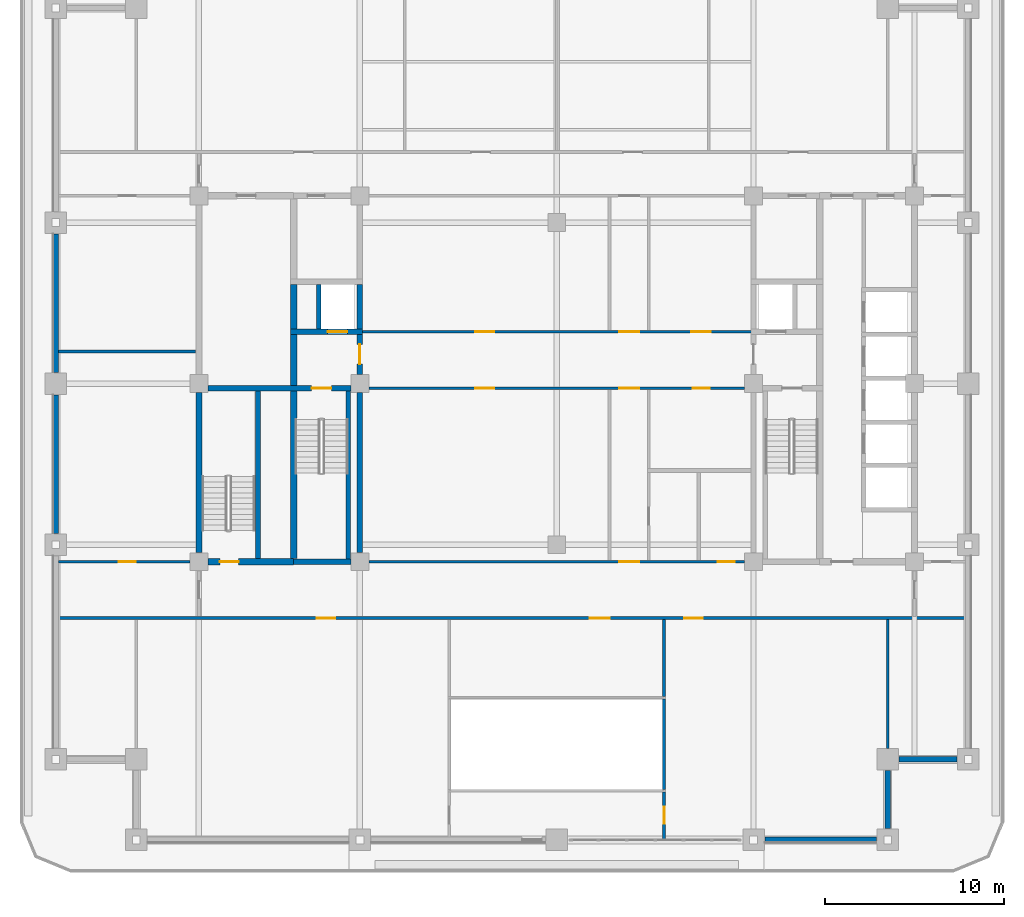
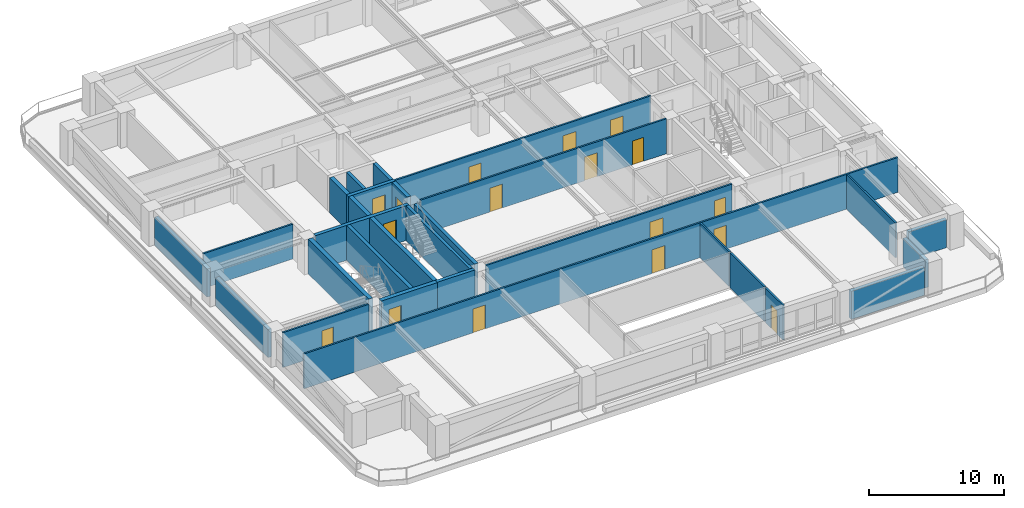
# One storey, part 8 of 17: 29 walls, 17 doors, 17 openings.
"""IFC4 building model written with IfcOpenShell, lengths in metres."""

import ifcopenshell
import ifcopenshell.guid

model = None  # the IFC model being written
_history = None  # IfcOwnerHistory: only IFC2X3 demands one
_inside = {}  # id of a spatial element -> (the spatial element, [elements in it])
_under = {}  # id of a project, library or spatial element -> (it, [spatial elements below it])
_declared = {}  # id of a project -> (the project, [libraries it declares])
_typed = {}  # id of a type object -> (the type object, [elements of that type])
_made_of = {}  # id of a material, layer set ... -> (it, [elements and type objects made of it])


def new_model(schema):
    """Start an empty IFC model of exactly this schema.

    Asked for "IFC4X3", IfcOpenShell would pick the latest addendum, in which some entities
    have other attributes; the version numbers below select the first issue.
    IFC2X3 requires an IfcOwnerHistory on every rooted entity: one is made here for all.
    """
    global model, _history
    if schema == "IFC4X3":
        model = ifcopenshell.file(schema_version=(4, 3, 0, 0))
    else:
        model = ifcopenshell.file(schema=schema)
    _inside.clear()
    _under.clear()
    _declared.clear()
    _typed.clear()
    _made_of.clear()
    _history = None
    if model.schema == "IFC2X3":
        org = make("IfcOrganization", Name="unknown")
        user = make(
            "IfcPersonAndOrganization",
            ThePerson=make("IfcPerson", FamilyName="unknown"),
            TheOrganization=org,
        )
        app = make(
            "IfcApplication",
            ApplicationDeveloper=org,
            Version="unknown",
            ApplicationFullName="unknown",
            ApplicationIdentifier="unknown",
        )
        _history = make(
            "IfcOwnerHistory",
            OwningUser=user,
            OwningApplication=app,
            ChangeAction="ADDED",
            CreationDate=0,
        )
    return model


def make(cls, **values):
    """One entity of the class cls with the attributes given. An attribute that is None is left unset."""
    return model.create_entity(
        cls, **{name: value for name, value in values.items() if value is not None}
    )


def rooted(cls, **values):
    """An entity with a GlobalId (a new one), such as an element, a storey or a relation."""
    return make(cls, GlobalId=ifcopenshell.guid.new(), OwnerHistory=_history, **values)


def si_unit(unit_type, name, prefix=None):
    """IfcSIUnit, for example si_unit("LENGTHUNIT", "METRE", prefix="MILLI")."""
    return make("IfcSIUnit", UnitType=unit_type, Prefix=prefix, Name=name)


def assignment(units):
    """IfcUnitAssignment: the units of a project."""
    return None if units is None else make("IfcUnitAssignment", Units=units)


def point(xyz):
    """IfcCartesianPoint."""
    return None if xyz is None else make("IfcCartesianPoint", Coordinates=xyz)


def direction(xyz):
    """IfcDirection."""
    return None if xyz is None else make("IfcDirection", DirectionRatios=xyz)


def frame(location, z_axis=None, x_axis=None):
    """IfcAxis2Placement3D, a coordinate frame: its origin and axes. An axis left out is left unset."""
    return make(
        "IfcAxis2Placement3D",
        Location=point(location),
        Axis=direction(z_axis),
        RefDirection=direction(x_axis),
    )


def frame_2d(location, x_axis=None):
    """IfcAxis2Placement2D, a coordinate frame in the plane: its origin and x axis."""
    return make(
        "IfcAxis2Placement2D", Location=point(location), RefDirection=direction(x_axis)
    )


def origin():
    """The frame at (0, 0, 0) with its axes left unset."""
    return frame((0.0, 0.0, 0.0))


def place(relative_to, where):
    """IfcLocalPlacement: puts the frame where relative to a parent placement (None: the world)."""
    return make(
        "IfcLocalPlacement", PlacementRelTo=relative_to, RelativePlacement=where
    )


def context(
    kind, dimensions, precision=None, world=None, true_north=None, identifier=None
):
    """IfcGeometricRepresentationContext, for example the 3D "Model" context."""
    return make(
        "IfcGeometricRepresentationContext",
        ContextIdentifier=identifier,
        ContextType=kind,
        CoordinateSpaceDimension=dimensions,
        Precision=precision,
        WorldCoordinateSystem=world,
        TrueNorth=true_north,
    )


def subcontext(parent, identifier, kind, view, scale=None):
    """IfcGeometricRepresentationSubContext, for example "Body" below "Model"."""
    return make(
        "IfcGeometricRepresentationSubContext",
        ContextIdentifier=identifier,
        ContextType=kind,
        ParentContext=parent,
        TargetScale=scale,
        TargetView=view,
    )


def project(units=None, contexts=None):
    """IfcProject with its units and contexts."""
    return rooted(
        "IfcProject",
        Name="project",
        RepresentationContexts=contexts,
        UnitsInContext=assignment(units),
    )


def spatial(cls, under=None, at=None, **own):
    """A site, building, storey or space (cls), placed at a placement, below another one or the project."""
    s = rooted(cls, ObjectPlacement=at, **own)
    if under is not None:
        _under.setdefault(under.id(), (under, []))[1].append(s)
    return s


def profile(cls, at=None, kind="AREA", **sizes):
    """A parametric profile (cls). Its sizes go by their IFC names, for example OverallWidth=200.0."""
    return make(cls, ProfileType=kind, Position=at, **sizes)


def rectangle(**sizes):
    """IfcRectangleProfileDef."""
    return profile("IfcRectangleProfileDef", **sizes)


def extrude(swept, where, along, depth):
    """IfcExtrudedAreaSolid: the profile swept, set in the frame where, extruded along a direction by depth."""
    return make(
        "IfcExtrudedAreaSolid",
        SweptArea=swept,
        Position=where,
        ExtrudedDirection=direction(along),
        Depth=depth,
    )


def shape(context_of_items, identifier, shape_type, items):
    """IfcShapeRepresentation: the items that make up one representation, for example the "Body"."""
    return make(
        "IfcShapeRepresentation",
        ContextOfItems=context_of_items,
        RepresentationIdentifier=identifier,
        RepresentationType=shape_type,
        Items=items,
    )


def material(Name=None, Category=None):
    """IfcMaterial."""
    return make("IfcMaterial", Name=Name, Category=Category)


def layer(
    of_material, thickness, ventilated=None, Name=None, Category=None, Priority=None
):
    """IfcMaterialLayer: one layer of a wall or slab, of a material (None: an air gap)."""
    return make(
        "IfcMaterialLayer",
        Material=of_material,
        LayerThickness=thickness,
        IsVentilated=ventilated,
        Name=Name,
        Category=Category,
        Priority=Priority,
    )


def layer_set(layers, Name=None):
    """IfcMaterialLayerSet."""
    return make("IfcMaterialLayerSet", MaterialLayers=layers, LayerSetName=Name)


def made_of(thing, what):
    """Note that an element or type object is made of a material, layer set ...; save() writes the relation."""
    if what is not None:
        _made_of.setdefault(what.id(), (what, []))[1].append(thing)
    return thing


def type_object(cls, material=None, **own):
    """A type object (cls), such as IfcWallType, which elements share."""
    return made_of(rooted(cls, **own), material)


def element(
    cls,
    number,
    at=None,
    inside=None,
    cuts=None,
    type_object=None,
    material=None,
    context=None,
    identifier="Body",
    shape_type=None,
    held_by="IfcProductDefinitionShape",
    body=None,
    shapes=None,
    **own,
):
    """One element of the class cls, such as IfcWall. Its Tag is "e" and its number.

    at: its placement. inside: the storey or other place that contains it. cuts: it is an
    opening in that element (IfcRelVoidsElement). A single representation is given by context,
    identifier, shape_type and body (its items); several are given by shapes. held_by: the class
    of the entity that holds the representations. save() writes the other relations.
    """
    e = rooted(cls, Tag="e%d" % number, ObjectPlacement=at, **own)
    if body is not None:
        shapes = [shape(context, identifier, shape_type, body)]
    if shapes is not None:
        e.Representation = make(held_by, Representations=shapes)
    if inside is not None:
        _inside.setdefault(inside.id(), (inside, []))[1].append(e)
    if cuts is not None:
        rooted(
            "IfcRelVoidsElement", RelatingBuildingElement=cuts, RelatedOpeningElement=e
        )
    if type_object is not None:
        _typed.setdefault(type_object.id(), (type_object, []))[1].append(e)
    return made_of(e, material)


def fill(opening, filler):
    """IfcRelFillsElement: the door or window that sits in an opening."""
    return rooted(
        "IfcRelFillsElement",
        RelatingOpeningElement=opening,
        RelatedBuildingElement=filler,
    )


def aggregate(whole, parts):
    """IfcRelAggregates: a whole, such as a stair, and the parts it consists of."""
    return rooted("IfcRelAggregates", RelatingObject=whole, RelatedObjects=parts)


def save(model, path):
    """Write the relations noted so far, then the file.

    IfcRelAggregates (storeys below a building ...), IfcRelContainedInSpatialStructure (elements
    in a storey), IfcRelDefinesByType, IfcRelAssociatesMaterial and IfcRelDeclares: one each for
    every whole, place, type object, material and project.
    """
    for whole, parts in _under.values():
        aggregate(whole, parts)
    for where, things in _inside.values():
        rooted(
            "IfcRelContainedInSpatialStructure",
            RelatedElements=things,
            RelatingStructure=where,
        )
    for kind, things in _typed.values():
        rooted("IfcRelDefinesByType", RelatedObjects=things, RelatingType=kind)
    for what, things in _made_of.values():
        rooted("IfcRelAssociatesMaterial", RelatedObjects=things, RelatingMaterial=what)
    for by, libraries in _declared.values():
        rooted("IfcRelDeclares", RelatingContext=by, RelatedDefinitions=libraries)
    model.write(path)


model = new_model("IFC4")

# Units and contexts
model_context = context("Model", 3, precision=1e-05, world=origin(), true_north=direction((0.0, 1.0)))
body_context = subcontext(model_context, "Body", "Model", "MODEL_VIEW")
ifc_project = project(units=[si_unit("LENGTHUNIT", "METRE"), si_unit("AREAUNIT", "SQUARE_METRE"), si_unit("VOLUMEUNIT", "CUBIC_METRE"), si_unit("PLANEANGLEUNIT", "RADIAN"), si_unit("MASSUNIT", "GRAM", prefix="KILO")], contexts=[model_context])

# Site, building, storey
site_placement = place(None, origin())
site = spatial("IfcSite", under=ifc_project, at=site_placement, CompositionType="ELEMENT")
building_placement = place(site_placement, origin())
building = spatial("IfcBuilding", under=site, at=building_placement, Name="Zulmaris Gate Convention Tower", CompositionType="ELEMENT")
storey_placement = place(building_placement, frame((0.0, 0.0, 149.909912109375)))
storey = spatial("IfcBuildingStorey", under=building, at=storey_placement, Name="L38", CompositionType="ELEMENT", Elevation=149.909912109375)

# Walls
ifc_material_1 = material(Name="Concrete C50/60", Category="concrete")
ifc_layer_1 = layer(ifc_material_1, 0.25, Name="Concrete C50/60")
ifc_layer_set_1 = layer_set([ifc_layer_1], Name="Concrete C50/60")
wall_type_1 = type_object("IfcWallType", Name="CORE-250", PredefinedType="SOLIDWALL", material=ifc_layer_set_1)
wall_1_placement = place(storey_placement, frame((-13.300048828125, 3.052001953125, 0.0), z_axis=(0.0, 0.0, 1.0), x_axis=(0.0, 1.0, 0.0)))
element("IfcWall", 1, at=wall_1_placement, inside=storey, type_object=wall_type_1, Name="WL-L38-042", PredefinedType="SOLIDWALL", context=body_context, shape_type="SweptSolid", body=[
    extrude(rectangle(XDim=2.49609375, YDim=0.25, at=frame_2d((1.248046875, 0.0))), origin(), (0.0, 0.0, 1.0), 3.14501953125),
])
wall_2_placement = place(storey_placement, frame((-11.64990234375, -9.798095703125, 0.0), z_axis=(0.0, 0.0, 1.0), x_axis=(0.0, 1.0, 0.0)))
element("IfcWall", 2, at=wall_2_placement, inside=storey, type_object=wall_type_1, Name="WL-L38-043", PredefinedType="SOLIDWALL", context=body_context, shape_type="SweptSolid", body=[
    extrude(rectangle(XDim=9.39599609375, YDim=0.25, at=frame_2d((4.697998046875, 0.0))), origin(), (0.0, 0.0, 1.0), 3.14501953125),
])
ifc_layer_2 = layer(ifc_material_1, 0.300048828125, Name="Concrete C50/60")
ifc_layer_set_2 = layer_set([ifc_layer_2], Name="Concrete C50/60")
wall_type_2 = type_object("IfcWallType", Name="CORE-300", PredefinedType="SHEAR", material=ifc_layer_set_2)
wall_3_placement = place(storey_placement, frame((-14.699951171875, -9.949951171875, 0.0), z_axis=(0.0, 0.0, 1.0), x_axis=(1.0, 0.0, 0.0)))
element("IfcWall", 3, at=wall_3_placement, inside=storey, type_object=wall_type_2, Name="WL-L38-002", PredefinedType="SHEAR", context=body_context, shape_type="SweptSolid", body=[
    extrude(rectangle(XDim=3.196044921875, YDim=0.300048828125, at=frame_2d((1.59814453125, 0.0))), origin(), (0.0, 0.0, 1.0), 3.14501953125),
])

# Wall, opening, door
wall_4_placement = place(storey_placement, frame((-19.49609375, -0.25, 0.0), z_axis=(0.0, 0.0, 1.0), x_axis=(1.0, 0.0, 0.0)))
wall_4 = element("IfcWall", 4, at=wall_4_placement, inside=storey, type_object=wall_type_2, Name="WL-L38-008", PredefinedType="SHEAR", context=body_context, shape_type="SweptSolid", body=[
    extrude(rectangle(XDim=7.9921875, YDim=0.300048828125, at=frame_2d((3.99609375, 0.0))), origin(), (0.0, 0.0, 1.0), 3.14501953125),
])
opening_1_placement = place(wall_4_placement, frame((5.7958984375, 0.0, 0.0)))
opening_1 = element("IfcOpeningElement", 5, at=opening_1_placement, cuts=wall_4, Name="Opening D-08", PredefinedType="OPENING", context=body_context, shape_type="SweptSolid", body=[
    extrude(rectangle(XDim=1.10009765625, YDim=2.14990234375, at=frame_2d((0.550048828125, 1.074951171875))), frame((0.0, 0.16015625, 0.0), z_axis=(0.0, -1.0, 0.0), x_axis=(1.0, 0.0, 0.0)), (0.0, 0.0, 1.0), 0.320068359375),
])
ifc_material_2 = material(Name="Fire-Rated Steel", Category="steel")
door_type_1 = type_object("IfcDoorType", Name="DR-1100-FD", OperationType="NOTDEFINED", PredefinedType="DOOR", material=ifc_material_2)
door_1_placement = place(opening_1_placement, origin())
door_1 = element("IfcDoor", 6, at=door_1_placement, inside=storey, type_object=door_type_1, Name="L38 Exit Stair ST-1 Door 01", OperationType="SINGLE_SWING_LEFT", OverallHeight=2.14990234375, OverallWidth=1.10009765625, PredefinedType="DOOR", context=body_context, shape_type="SweptSolid", body=[
    extrude(rectangle(XDim=1.10009765625, YDim=2.14990234375, at=frame_2d((0.550048828125, 1.074951171875))), frame((0.0, 0.02490234375, 0.0), z_axis=(0.0, -1.0, 0.0), x_axis=(1.0, 0.0, 0.0)), (0.0, 0.0, 1.0), 0.050048828125),
])
fill(opening_1, door_1)

wall_5_placement = place(storey_placement, frame((-14.875, 2.89990234375, 0.0), z_axis=(0.0, 0.0, 1.0), x_axis=(1.0, 0.0, 0.0)))
wall_5 = element("IfcWall", 7, at=wall_5_placement, inside=storey, type_object=wall_type_2, Name="WL-L38-012", PredefinedType="SHEAR", context=body_context, shape_type="SweptSolid", body=[
    extrude(rectangle(XDim=4.02490234375, YDim=0.300048828125, at=frame_2d((2.012451171875, 0.0))), origin(), (0.0, 0.0, 1.0), 3.14501953125),
])
opening_2_placement = place(wall_5_placement, frame((2.074951171875, 0.0, 0.0)))
opening_2 = element("IfcOpeningElement", 8, at=opening_2_placement, cuts=wall_5, Name="Opening D-06", PredefinedType="OPENING", context=body_context, shape_type="SweptSolid", body=[
    extrude(rectangle(XDim=1.10009765625, YDim=2.199951171875, at=frame_2d((0.550048828125, 1.10009765625))), frame((0.0, 0.16015625, 0.0), z_axis=(0.0, -1.0, 0.0), x_axis=(1.0, 0.0, 0.0)), (0.0, 0.0, 1.0), 0.320068359375),
])
ifc_material_3 = material(Name="Brushed Stainless Steel", Category="steel")
door_type_2 = type_object("IfcDoorType", Name="LD-1100", OperationType="NOTDEFINED", PredefinedType="DOOR", material=ifc_material_3)
door_2_placement = place(opening_2_placement, origin())
door_2 = element("IfcDoor", 9, at=door_2_placement, inside=storey, type_object=door_type_2, Name="L38 Lift Landing Door LF-01 03", OperationType="SLIDING_TO_LEFT", OverallHeight=2.199951171875, OverallWidth=1.10009765625, PredefinedType="DOOR", context=body_context, shape_type="SweptSolid", body=[
    extrude(rectangle(XDim=1.10009765625, YDim=2.199951171875, at=frame_2d((0.550048828125, 1.10009765625))), frame((0.0, 0.02490234375, 0.0), z_axis=(0.0, -1.0, 0.0), x_axis=(1.0, 0.0, 0.0)), (0.0, 0.0, 1.0), 0.050048828125),
])
fill(opening_2, door_2)

# Walls
wall_6_placement = place(storey_placement, frame((-16.699951171875, -9.77294921875, 0.0), z_axis=(0.0, 0.0, 1.0), x_axis=(0.0, 1.0, 0.0)))
element("IfcWall", 10, at=wall_6_placement, inside=storey, type_object=wall_type_2, Name="WL-L38-037", PredefinedType="SHEAR", context=body_context, shape_type="SweptSolid", body=[
    extrude(rectangle(XDim=9.370849609375, YDim=0.300048828125, at=frame_2d((4.685546875, 0.0))), origin(), (0.0, 0.0, 1.0), 3.14501953125),
])
wall_7_placement = place(storey_placement, frame((-11.0, -9.446044921875, 0.0), z_axis=(0.0, 0.0, 1.0), x_axis=(0.0, 1.0, 0.0)))
element("IfcWall", 11, at=wall_7_placement, inside=storey, type_object=wall_type_2, Name="WL-L38-044", PredefinedType="SHEAR", context=body_context, shape_type="SweptSolid", body=[
    extrude(rectangle(XDim=8.942138671875, YDim=0.300048828125, at=frame_2d((4.47119140625, 0.0))), origin(), (0.0, 0.0, 1.0), 3.14501953125),
])

# Wall, opening, door
wall_8_placement = place(storey_placement, frame((-11.0, 0.50390625, 0.0), z_axis=(0.0, 0.0, 1.0), x_axis=(0.0, 1.0, 0.0)))
wall_8 = element("IfcWall", 12, at=wall_8_placement, inside=storey, type_object=wall_type_2, Name="WL-L38-045", PredefinedType="SHEAR", context=body_context, shape_type="SweptSolid", body=[
    extrude(rectangle(XDim=2.244140625, YDim=0.300048828125, at=frame_2d((1.1220703125, 0.0))), origin(), (0.0, 0.0, 1.0), 3.14501953125),
])
opening_3_placement = place(wall_8_placement, frame((0.595947265625, 0.0, 0.0)))
opening_3 = element("IfcOpeningElement", 13, at=opening_3_placement, cuts=wall_8, Name="Opening D-08", PredefinedType="OPENING", context=body_context, shape_type="SweptSolid", body=[
    extrude(rectangle(XDim=1.10009765625, YDim=2.14990234375, at=frame_2d((0.550048828125, 1.074951171875))), frame((0.0, 0.16015625, 0.0), z_axis=(0.0, -1.0, 0.0), x_axis=(1.0, 0.0, 0.0)), (0.0, 0.0, 1.0), 0.320068359375),
])
door_3_placement = place(opening_3_placement, origin())
door_3 = element("IfcDoor", 14, at=door_3_placement, inside=storey, type_object=door_type_1, Name="L38 West Firefighting Lobby Door 02", OperationType="SINGLE_SWING_RIGHT", OverallHeight=2.14990234375, OverallWidth=1.10009765625, PredefinedType="DOOR", context=body_context, shape_type="SweptSolid", body=[
    extrude(rectangle(XDim=1.10009765625, YDim=2.14990234375, at=frame_2d((0.550048828125, 1.074951171875))), frame((0.0, 0.02490234375, 0.0), z_axis=(0.0, -1.0, 0.0), x_axis=(1.0, 0.0, 0.0)), (0.0, 0.0, 1.0), 0.050048828125),
])
fill(opening_3, door_3)

# Wall
wall_9_placement = place(storey_placement, frame((-11.0, 3.052001953125, 0.0), z_axis=(0.0, 0.0, 1.0), x_axis=(0.0, 1.0, 0.0)))
element("IfcWall", 15, at=wall_9_placement, inside=storey, type_object=wall_type_2, Name="WL-L38-046", PredefinedType="SHEAR", context=body_context, shape_type="SweptSolid", body=[
    extrude(rectangle(XDim=2.49609375, YDim=0.300048828125, at=frame_2d((1.248046875, 0.0))), origin(), (0.0, 0.0, 1.0), 3.14501953125),
])

# Wall, opening, door
ifc_material_4 = material(Name="Concrete C55/67", Category="concrete")
ifc_layer_3 = layer(ifc_material_4, 0.35009765625, Name="Concrete C55/67")
ifc_layer_set_3 = layer_set([ifc_layer_3], Name="Concrete C55/67")
wall_type_3 = type_object("IfcWallType", Name="CORE-350", PredefinedType="SHEAR", material=ifc_layer_set_3)
wall_10_placement = place(storey_placement, frame((-19.49609375, -9.949951171875, 0.0), z_axis=(0.0, 0.0, 1.0), x_axis=(1.0, 0.0, 0.0)))
wall_10 = element("IfcWall", 16, at=wall_10_placement, inside=storey, type_object=wall_type_3, Name="WL-L38-001", PredefinedType="SHEAR", context=body_context, shape_type="SweptSolid", body=[
    extrude(rectangle(XDim=4.796142578125, YDim=0.35009765625, at=frame_2d((2.39794921875, 0.0))), origin(), (0.0, 0.0, 1.0), 3.14501953125),
])
opening_4_placement = place(wall_10_placement, frame((0.6708984375, 0.0, 0.0)))
opening_4 = element("IfcOpeningElement", 17, at=opening_4_placement, cuts=wall_10, Name="Opening D-09", PredefinedType="OPENING", context=body_context, shape_type="SweptSolid", body=[
    extrude(rectangle(XDim=1.050048828125, YDim=2.14990234375, at=frame_2d((0.52490234375, 1.074951171875))), frame((0.0, 0.18505859375, 0.0), z_axis=(0.0, -1.0, 0.0), x_axis=(1.0, 0.0, 0.0)), (0.0, 0.0, 1.0), 0.3701171875),
])
door_type_3 = type_object("IfcDoorType", Name="DR-1050-FD", OperationType="NOTDEFINED", PredefinedType="DOOR", material=ifc_material_2)
door_4_placement = place(opening_4_placement, origin())
door_4 = element("IfcDoor", 18, at=door_4_placement, inside=storey, type_object=door_type_3, Name="L38 Exit Stair ST-3 Door 09", OperationType="SINGLE_SWING_LEFT", OverallHeight=2.14990234375, OverallWidth=1.050048828125, PredefinedType="DOOR", context=body_context, shape_type="SweptSolid", body=[
    extrude(rectangle(XDim=1.050048828125, YDim=2.14990234375, at=frame_2d((0.52490234375, 1.074951171875))), frame((0.0, 0.02490234375, 0.0), z_axis=(0.0, -1.0, 0.0), x_axis=(1.0, 0.0, 0.0)), (0.0, 0.0, 1.0), 0.050048828125),
])
fill(opening_4, door_4)

# Walls
wall_11_placement = place(storey_placement, frame((-20.0, -9.446044921875, 0.0), z_axis=(0.0, 0.0, 1.0), x_axis=(0.0, 1.0, 0.0)))
element("IfcWall", 19, at=wall_11_placement, inside=storey, type_object=wall_type_3, Name="WL-L38-035", PredefinedType="SHEAR", context=body_context, shape_type="SweptSolid", body=[
    extrude(rectangle(XDim=8.942138671875, YDim=0.35009765625, at=frame_2d((4.47119140625, 0.0))), origin(), (0.0, 0.0, 1.0), 3.14501953125),
])
wall_12_placement = place(storey_placement, frame((-14.699951171875, -9.77294921875, 0.0), z_axis=(0.0, 0.0, 1.0), x_axis=(0.0, 1.0, 0.0)))
element("IfcWall", 20, at=wall_12_placement, inside=storey, type_object=wall_type_3, Name="WL-L38-038", PredefinedType="SHEAR", context=body_context, shape_type="SweptSolid", body=[
    extrude(rectangle(XDim=9.370849609375, YDim=0.35009765625, at=frame_2d((4.685546875, 0.0))), origin(), (0.0, 0.0, 1.0), 3.14501953125),
])
wall_13_placement = place(storey_placement, frame((-14.699951171875, -0.097900390625, 0.0), z_axis=(0.0, 0.0, 1.0), x_axis=(0.0, 1.0, 0.0)))
element("IfcWall", 21, at=wall_13_placement, inside=storey, type_object=wall_type_3, Name="WL-L38-039", PredefinedType="SHEAR", context=body_context, shape_type="SweptSolid", body=[
    extrude(rectangle(XDim=2.845947265625, YDim=0.35009765625, at=frame_2d((1.4228515625, 0.0))), origin(), (0.0, 0.0, 1.0), 3.14501953125),
])
wall_14_placement = place(storey_placement, frame((-14.699951171875, 3.052001953125, 0.0), z_axis=(0.0, 0.0, 1.0), x_axis=(0.0, 1.0, 0.0)))
element("IfcWall", 22, at=wall_14_placement, inside=storey, type_object=wall_type_3, Name="WL-L38-040", PredefinedType="SHEAR", context=body_context, shape_type="SweptSolid", body=[
    extrude(rectangle(XDim=2.49609375, YDim=0.35009765625, at=frame_2d((1.248046875, 0.0))), origin(), (0.0, 0.0, 1.0), 3.14501953125),
])

# Wall, openings, doors
ifc_material_5 = material(Name="Gypsum Metal Stud Partition")
ifc_layer_4 = layer(ifc_material_5, 0.14990234375, Name="Gypsum Metal Stud Partition")
ifc_layer_set_4 = layer_set([ifc_layer_4], Name="Gypsum Metal Stud Partition")
wall_type_4 = type_object("IfcWallType", Name="PART-150", PredefinedType="PARTITIONING", material=ifc_layer_set_4)
wall_15_placement = place(storey_placement, frame((-27.8349609375, -13.10009765625, 0.0), z_axis=(0.0, 0.0, 1.0), x_axis=(1.0, 0.0, 0.0)))
wall_15 = element("IfcWall", 23, at=wall_15_placement, inside=storey, type_object=wall_type_4, Name="WL-L38-023", PredefinedType="PARTITIONING", context=body_context, shape_type="SweptSolid", body=[
    extrude(rectangle(XDim=50.669921875, YDim=0.14990234375, at=frame_2d((25.3349609375, 0.0))), origin(), (0.0, 0.0, 1.0), 3.14501953125),
])
opening_5_placement = place(wall_15_placement, frame((29.68505859375, 0.0, 0.0)))
opening_5 = element("IfcOpeningElement", 24, at=opening_5_placement, cuts=wall_15, Name="Opening D-08", PredefinedType="OPENING", context=body_context, shape_type="SweptSolid", body=[
    extrude(rectangle(XDim=1.10009765625, YDim=2.14990234375, at=frame_2d((0.550048828125, 1.074951171875))), frame((0.0, 0.0849609375, 0.0), z_axis=(0.0, -1.0, 0.0), x_axis=(1.0, 0.0, 0.0)), (0.0, 0.0, 1.0), 0.169921875),
])
opening_6_placement = place(wall_15_placement, frame((14.409912109375, 0.0, 0.0)))
opening_6 = element("IfcOpeningElement", 25, at=opening_6_placement, cuts=wall_15, Name="Opening D-09", PredefinedType="OPENING", context=body_context, shape_type="SweptSolid", body=[
    extrude(rectangle(XDim=1.050048828125, YDim=2.14990234375, at=frame_2d((0.52490234375, 1.074951171875))), frame((0.0, 0.0849609375, 0.0), z_axis=(0.0, -1.0, 0.0), x_axis=(1.0, 0.0, 0.0)), (0.0, 0.0, 1.0), 0.169921875),
])
opening_7_placement = place(wall_15_placement, frame((34.9599609375, 0.0, 0.0)))
opening_7 = element("IfcOpeningElement", 26, at=opening_7_placement, cuts=wall_15, Name="Opening D-09", PredefinedType="OPENING", context=body_context, shape_type="SweptSolid", body=[
    extrude(rectangle(XDim=1.050048828125, YDim=2.14990234375, at=frame_2d((0.52490234375, 1.074951171875))), frame((0.0, 0.0849609375, 0.0), z_axis=(0.0, -1.0, 0.0), x_axis=(1.0, 0.0, 0.0)), (0.0, 0.0, 1.0), 0.169921875),
])
door_5_placement = place(opening_6_placement, origin())
door_5 = element("IfcDoor", 27, at=door_5_placement, inside=storey, type_object=door_type_3, Name="L38 Corner Boardroom SW Door 29", OperationType="SINGLE_SWING_LEFT", OverallHeight=2.14990234375, OverallWidth=1.050048828125, PredefinedType="DOOR", context=body_context, shape_type="SweptSolid", body=[
    extrude(rectangle(XDim=1.050048828125, YDim=2.14990234375, at=frame_2d((0.52490234375, 1.074951171875))), frame((0.0, 0.02490234375, 0.0), z_axis=(0.0, -1.0, 0.0), x_axis=(1.0, 0.0, 0.0)), (0.0, 0.0, 1.0), 0.050048828125),
])
fill(opening_6, door_5)
door_6_placement = place(opening_7_placement, origin())
door_6 = element("IfcDoor", 28, at=door_6_placement, inside=storey, type_object=door_type_3, Name="L38 Corner Boardroom SE Door 30", OperationType="SINGLE_SWING_RIGHT", OverallHeight=2.14990234375, OverallWidth=1.050048828125, PredefinedType="DOOR", context=body_context, shape_type="SweptSolid", body=[
    extrude(rectangle(XDim=1.050048828125, YDim=2.14990234375, at=frame_2d((0.52490234375, 1.074951171875))), frame((0.0, 0.02490234375, 0.0), z_axis=(0.0, -1.0, 0.0), x_axis=(1.0, 0.0, 0.0)), (0.0, 0.0, 1.0), 0.050048828125),
])
fill(opening_7, door_6)
door_7_placement = place(opening_5_placement, origin())
door_7 = element("IfcDoor", 29, at=door_7_placement, inside=storey, type_object=door_type_1, Name="L38 Mezzanine Gallery Door 28", OperationType="SINGLE_SWING_RIGHT", OverallHeight=2.14990234375, OverallWidth=1.10009765625, PredefinedType="DOOR", context=body_context, shape_type="SweptSolid", body=[
    extrude(rectangle(XDim=1.10009765625, YDim=2.14990234375, at=frame_2d((0.550048828125, 1.074951171875))), frame((0.0, 0.02490234375, 0.0), z_axis=(0.0, -1.0, 0.0), x_axis=(1.0, 0.0, 0.0)), (0.0, 0.0, 1.0), 0.050048828125),
])
fill(opening_5, door_7)

# Wall, opening, door
wall_16_placement = place(storey_placement, frame((-27.8349609375, -9.949951171875, 0.0), z_axis=(0.0, 0.0, 1.0), x_axis=(1.0, 0.0, 0.0)))
wall_16 = element("IfcWall", 30, at=wall_16_placement, inside=storey, type_object=wall_type_4, Name="WL-L38-024", PredefinedType="PARTITIONING", context=body_context, shape_type="SweptSolid", body=[
    extrude(rectangle(XDim=7.328857421875, YDim=0.14990234375, at=frame_2d((3.66455078125, 0.0))), origin(), (0.0, 0.0, 1.0), 3.14501953125),
])
opening_8_placement = place(wall_16_placement, frame((3.360107421875, 0.0, 0.0)))
opening_8 = element("IfcOpeningElement", 31, at=opening_8_placement, cuts=wall_16, Name="Opening D-11", PredefinedType="OPENING", context=body_context, shape_type="SweptSolid", body=[
    extrude(rectangle(XDim=0.949951171875, YDim=2.14990234375, at=frame_2d((0.47509765625, 1.074951171875))), frame((0.0, 0.0849609375, 0.0), z_axis=(0.0, -1.0, 0.0), x_axis=(1.0, 0.0, 0.0)), (0.0, 0.0, 1.0), 0.169921875),
])
ifc_material_6 = material(Name="Fire-Rated Timber", Category="wood")
door_type_4 = type_object("IfcDoorType", Name="DR-950-FD", OperationType="NOTDEFINED", PredefinedType="DOOR", material=ifc_material_6)
door_8_placement = place(opening_8_placement, origin())
door_8 = element("IfcDoor", 32, at=door_8_placement, inside=storey, type_object=door_type_4, Name="L38 SW Partner Door 40", OperationType="SINGLE_SWING_RIGHT", OverallHeight=2.14990234375, OverallWidth=0.949951171875, PredefinedType="DOOR", context=body_context, shape_type="SweptSolid", body=[
    extrude(rectangle(XDim=0.949951171875, YDim=2.14990234375, at=frame_2d((0.47509765625, 1.074951171875))), frame((0.0, 0.02490234375, 0.0), z_axis=(0.0, -1.0, 0.0), x_axis=(1.0, 0.0, 0.0)), (0.0, 0.0, 1.0), 0.050048828125),
])
fill(opening_8, door_8)

# Wall, openings, doors
wall_17_placement = place(storey_placement, frame((-10.493896484375, -9.949951171875, 0.0), z_axis=(0.0, 0.0, 1.0), x_axis=(1.0, 0.0, 0.0)))
wall_17 = element("IfcWall", 33, at=wall_17_placement, inside=storey, type_object=wall_type_4, Name="WL-L38-025", PredefinedType="PARTITIONING", context=body_context, shape_type="SweptSolid", body=[
    extrude(rectangle(XDim=20.98779296875, YDim=0.14990234375, at=frame_2d((10.493896484375, 0.0))), origin(), (0.0, 0.0, 1.0), 3.14501953125),
])
opening_9_placement = place(wall_17_placement, frame((13.993896484375, 0.0, 0.0)))
opening_9 = element("IfcOpeningElement", 34, at=opening_9_placement, cuts=wall_17, Name="Opening D-08", PredefinedType="OPENING", context=body_context, shape_type="SweptSolid", body=[
    extrude(rectangle(XDim=1.10009765625, YDim=2.14990234375, at=frame_2d((0.550048828125, 1.074951171875))), frame((0.0, 0.0849609375, 0.0), z_axis=(0.0, -1.0, 0.0), x_axis=(1.0, 0.0, 0.0)), (0.0, 0.0, 1.0), 0.169921875),
])
opening_10_placement = place(wall_17_placement, frame((19.489013671875, 0.0, 0.0)))
opening_10 = element("IfcOpeningElement", 35, at=opening_10_placement, cuts=wall_17, Name="Opening D-11", PredefinedType="OPENING", context=body_context, shape_type="SweptSolid", body=[
    extrude(rectangle(XDim=0.949951171875, YDim=2.14990234375, at=frame_2d((0.47509765625, 1.074951171875))), frame((0.0, 0.0849609375, 0.0), z_axis=(0.0, -1.0, 0.0), x_axis=(1.0, 0.0, 0.0)), (0.0, 0.0, 1.0), 0.169921875),
])
door_9_placement = place(opening_9_placement, origin())
door_9 = element("IfcDoor", 36, at=door_9_placement, inside=storey, type_object=door_type_1, Name="L38 South Gallery Link Door 19", OperationType="SINGLE_SWING_LEFT", OverallHeight=2.14990234375, OverallWidth=1.10009765625, PredefinedType="DOOR", context=body_context, shape_type="SweptSolid", body=[
    extrude(rectangle(XDim=1.10009765625, YDim=2.14990234375, at=frame_2d((0.550048828125, 1.074951171875))), frame((0.0, 0.02490234375, 0.0), z_axis=(0.0, -1.0, 0.0), x_axis=(1.0, 0.0, 0.0)), (0.0, 0.0, 1.0), 0.050048828125),
])
fill(opening_9, door_9)
door_10_placement = place(opening_10_placement, origin())
door_10 = element("IfcDoor", 37, at=door_10_placement, inside=storey, type_object=door_type_4, Name="L38 Vault Store Door 36", OperationType="SINGLE_SWING_RIGHT", OverallHeight=2.14990234375, OverallWidth=0.949951171875, PredefinedType="DOOR", context=body_context, shape_type="SweptSolid", body=[
    extrude(rectangle(XDim=0.949951171875, YDim=2.14990234375, at=frame_2d((0.47509765625, 1.074951171875))), frame((0.0, 0.02490234375, 0.0), z_axis=(0.0, -1.0, 0.0), x_axis=(1.0, 0.0, 0.0)), (0.0, 0.0, 1.0), 0.050048828125),
])
fill(opening_10, door_10)

wall_18_placement = place(storey_placement, frame((-10.493896484375, -0.25, 0.0), z_axis=(0.0, 0.0, 1.0), x_axis=(1.0, 0.0, 0.0)))
wall_18 = element("IfcWall", 38, at=wall_18_placement, inside=storey, type_object=wall_type_4, Name="WL-L38-028", PredefinedType="PARTITIONING", context=body_context, shape_type="SweptSolid", body=[
    extrude(rectangle(XDim=20.98779296875, YDim=0.14990234375, at=frame_2d((10.493896484375, 0.0))), origin(), (0.0, 0.0, 1.0), 3.14501953125),
])
opening_11_placement = place(wall_18_placement, frame((13.993896484375, 0.0, 0.0)))
opening_11 = element("IfcOpeningElement", 39, at=opening_11_placement, cuts=wall_18, Name="Opening D-08", PredefinedType="OPENING", context=body_context, shape_type="SweptSolid", body=[
    extrude(rectangle(XDim=1.10009765625, YDim=2.14990234375, at=frame_2d((0.550048828125, 1.074951171875))), frame((0.0, 0.0849609375, 0.0), z_axis=(0.0, -1.0, 0.0), x_axis=(1.0, 0.0, 0.0)), (0.0, 0.0, 1.0), 0.169921875),
])
opening_12_placement = place(wall_18_placement, frame((5.93896484375, 0.0, 0.0)))
opening_12 = element("IfcOpeningElement", 40, at=opening_12_placement, cuts=wall_18, Name="Opening D-09", PredefinedType="OPENING", context=body_context, shape_type="SweptSolid", body=[
    extrude(rectangle(XDim=1.050048828125, YDim=2.14990234375, at=frame_2d((0.52490234375, 1.074951171875))), frame((0.0, 0.0849609375, 0.0), z_axis=(0.0, -1.0, 0.0), x_axis=(1.0, 0.0, 0.0)), (0.0, 0.0, 1.0), 0.169921875),
])
opening_13_placement = place(wall_18_placement, frame((18.089111328125, 0.0, 0.0)))
opening_13 = element("IfcOpeningElement", 41, at=opening_13_placement, cuts=wall_18, Name="Opening D-11", PredefinedType="OPENING", context=body_context, shape_type="SweptSolid", body=[
    extrude(rectangle(XDim=0.949951171875, YDim=2.14990234375, at=frame_2d((0.47509765625, 1.074951171875))), frame((0.0, 0.0849609375, 0.0), z_axis=(0.0, -1.0, 0.0), x_axis=(1.0, 0.0, 0.0)), (0.0, 0.0, 1.0), 0.169921875),
])
door_11_placement = place(opening_12_placement, origin())
door_11 = element("IfcDoor", 42, at=door_11_placement, inside=storey, type_object=door_type_3, Name="L38 Sky Library Door 33", OperationType="SINGLE_SWING_LEFT", OverallHeight=2.14990234375, OverallWidth=1.050048828125, PredefinedType="DOOR", context=body_context, shape_type="SweptSolid", body=[
    extrude(rectangle(XDim=1.050048828125, YDim=2.14990234375, at=frame_2d((0.52490234375, 1.074951171875))), frame((0.0, 0.02490234375, 0.0), z_axis=(0.0, -1.0, 0.0), x_axis=(1.0, 0.0, 0.0)), (0.0, 0.0, 1.0), 0.050048828125),
])
fill(opening_12, door_11)
door_12_placement = place(opening_11_placement, origin())
door_12 = element("IfcDoor", 43, at=door_12_placement, inside=storey, type_object=door_type_1, Name="L38 Cross Spine South Door 21", OperationType="SINGLE_SWING_LEFT", OverallHeight=2.14990234375, OverallWidth=1.10009765625, PredefinedType="DOOR", context=body_context, shape_type="SweptSolid", body=[
    extrude(rectangle(XDim=1.10009765625, YDim=2.14990234375, at=frame_2d((0.550048828125, 1.074951171875))), frame((0.0, 0.02490234375, 0.0), z_axis=(0.0, -1.0, 0.0), x_axis=(1.0, 0.0, 0.0)), (0.0, 0.0, 1.0), 0.050048828125),
])
fill(opening_11, door_12)
door_13_placement = place(opening_13_placement, origin())
door_13 = element("IfcDoor", 44, at=door_13_placement, inside=storey, type_object=door_type_4, Name="L38 Public WC Door 34", OperationType="SINGLE_SWING_RIGHT", OverallHeight=2.14990234375, OverallWidth=0.949951171875, PredefinedType="DOOR", context=body_context, shape_type="SweptSolid", body=[
    extrude(rectangle(XDim=0.949951171875, YDim=2.14990234375, at=frame_2d((0.47509765625, 1.074951171875))), frame((0.0, 0.02490234375, 0.0), z_axis=(0.0, -1.0, 0.0), x_axis=(1.0, 0.0, 0.0)), (0.0, 0.0, 1.0), 0.050048828125),
])
fill(opening_13, door_13)

# Wall
wall_19_placement = place(storey_placement, frame((-27.8349609375, 1.800048828125, 0.0), z_axis=(0.0, 0.0, 1.0), x_axis=(1.0, 0.0, 0.0)))
element("IfcWall", 45, at=wall_19_placement, inside=storey, type_object=wall_type_4, Name="WL-L38-029", PredefinedType="PARTITIONING", context=body_context, shape_type="SweptSolid", body=[
    extrude(rectangle(XDim=7.656982421875, YDim=0.14990234375, at=frame_2d((3.82861328125, 0.0))), origin(), (0.0, 0.0, 1.0), 3.14501953125),
])

# Wall, openings, doors
wall_20_placement = place(storey_placement, frame((-11.0, 2.89990234375, 0.0), z_axis=(0.0, 0.0, 1.0), x_axis=(1.0, 0.0, 0.0)))
wall_20 = element("IfcWall", 46, at=wall_20_placement, inside=storey, type_object=wall_type_4, Name="WL-L38-030", PredefinedType="PARTITIONING", context=body_context, shape_type="SweptSolid", body=[
    extrude(rectangle(XDim=22.0, YDim=0.14990234375, at=frame_2d((11.0, 0.0))), origin(), (0.0, 0.0, 1.0), 3.14501953125),
])
opening_14_placement = place(wall_20_placement, frame((14.5, 0.0, 0.0)))
opening_14 = element("IfcOpeningElement", 47, at=opening_14_placement, cuts=wall_20, Name="Opening D-08", PredefinedType="OPENING", context=body_context, shape_type="SweptSolid", body=[
    extrude(rectangle(XDim=1.10009765625, YDim=2.14990234375, at=frame_2d((0.550048828125, 1.074951171875))), frame((0.0, 0.0849609375, 0.0), z_axis=(0.0, -1.0, 0.0), x_axis=(1.0, 0.0, 0.0)), (0.0, 0.0, 1.0), 0.169921875),
])
opening_15_placement = place(wall_20_placement, frame((6.445068359375, 0.0, 0.0)))
opening_15 = element("IfcOpeningElement", 48, at=opening_15_placement, cuts=wall_20, Name="Opening D-09", PredefinedType="OPENING", context=body_context, shape_type="SweptSolid", body=[
    extrude(rectangle(XDim=1.050048828125, YDim=2.14990234375, at=frame_2d((0.52490234375, 1.074951171875))), frame((0.0, 0.0849609375, 0.0), z_axis=(0.0, -1.0, 0.0), x_axis=(1.0, 0.0, 0.0)), (0.0, 0.0, 1.0), 0.169921875),
])
opening_16_placement = place(wall_20_placement, frame((18.52001953125, 0.0, 0.0)))
opening_16 = element("IfcOpeningElement", 49, at=opening_16_placement, cuts=wall_20, Name="Opening D-08", PredefinedType="OPENING", context=body_context, shape_type="SweptSolid", body=[
    extrude(rectangle(XDim=1.10009765625, YDim=2.14990234375, at=frame_2d((0.550048828125, 1.074951171875))), frame((0.0, 0.0849609375, 0.0), z_axis=(0.0, -1.0, 0.0), x_axis=(1.0, 0.0, 0.0)), (0.0, 0.0, 1.0), 0.169921875),
])
door_14_placement = place(opening_15_placement, origin())
door_14 = element("IfcDoor", 50, at=door_14_placement, inside=storey, type_object=door_type_3, Name="L38 Reception Door 31", OperationType="SINGLE_SWING_LEFT", OverallHeight=2.14990234375, OverallWidth=1.050048828125, PredefinedType="DOOR", context=body_context, shape_type="SweptSolid", body=[
    extrude(rectangle(XDim=1.050048828125, YDim=2.14990234375, at=frame_2d((0.52490234375, 1.074951171875))), frame((0.0, 0.02490234375, 0.0), z_axis=(0.0, -1.0, 0.0), x_axis=(1.0, 0.0, 0.0)), (0.0, 0.0, 1.0), 0.050048828125),
])
fill(opening_15, door_14)
door_15_placement = place(opening_14_placement, origin())
door_15 = element("IfcDoor", 51, at=door_15_placement, inside=storey, type_object=door_type_1, Name="L38 Cross Spine North Door 20", OperationType="SINGLE_SWING_RIGHT", OverallHeight=2.14990234375, OverallWidth=1.10009765625, PredefinedType="DOOR", context=body_context, shape_type="SweptSolid", body=[
    extrude(rectangle(XDim=1.10009765625, YDim=2.14990234375, at=frame_2d((0.550048828125, 1.074951171875))), frame((0.0, 0.02490234375, 0.0), z_axis=(0.0, -1.0, 0.0), x_axis=(1.0, 0.0, 0.0)), (0.0, 0.0, 1.0), 0.050048828125),
])
fill(opening_14, door_15)
door_16_placement = place(opening_16_placement, origin())
door_16 = element("IfcDoor", 52, at=door_16_placement, inside=storey, type_object=door_type_1, Name="L38 Townhall Forum Door 32", OperationType="SINGLE_SWING_RIGHT", OverallHeight=2.14990234375, OverallWidth=1.10009765625, PredefinedType="DOOR", context=body_context, shape_type="SweptSolid", body=[
    extrude(rectangle(XDim=1.10009765625, YDim=2.14990234375, at=frame_2d((0.550048828125, 1.074951171875))), frame((0.0, 0.02490234375, 0.0), z_axis=(0.0, -1.0, 0.0), x_axis=(1.0, 0.0, 0.0)), (0.0, 0.0, 1.0), 0.050048828125),
])
fill(opening_16, door_16)

# Wall, opening, door
wall_21_placement = place(storey_placement, frame((6.0, -25.43994140625, 0.0), z_axis=(0.0, 0.0, 1.0), x_axis=(0.0, 1.0, 0.0)))
wall_21 = element("IfcWall", 53, at=wall_21_placement, inside=storey, type_object=wall_type_4, Name="WL-L38-084", PredefinedType="PARTITIONING", context=body_context, shape_type="SweptSolid", body=[
    extrude(rectangle(XDim=2.612060546875, YDim=0.14990234375, at=frame_2d((1.30615234375, 0.0))), origin(), (0.0, 0.0, 1.0), 3.14501953125),
])
opening_17_placement = place(wall_21_placement, frame((0.844970703125, 0.0, 0.0)))
opening_17 = element("IfcOpeningElement", 54, at=opening_17_placement, cuts=wall_21, Name="Opening D-16", PredefinedType="OPENING", context=body_context, shape_type="SweptSolid", body=[
    extrude(rectangle(XDim=0.949951171875, YDim=2.14990234375, at=frame_2d((0.47509765625, 1.074951171875))), frame((0.0, 0.0849609375, 0.0), z_axis=(0.0, -1.0, 0.0), x_axis=(1.0, 0.0, 0.0)), (0.0, 0.0, 1.0), 0.169921875),
])
ifc_material_7 = material(Name="Veneered Hardwood Timber", Category="wood")
door_type_5 = type_object("IfcDoorType", Name="DR-950", OperationType="NOTDEFINED", PredefinedType="DOOR", material=ifc_material_7)
door_17_placement = place(opening_17_placement, origin())
door_17 = element("IfcDoor", 55, at=door_17_placement, inside=storey, type_object=door_type_5, Name="L38 Terrace Loggia East Door 27", OperationType="SINGLE_SWING_LEFT", OverallHeight=2.14990234375, OverallWidth=0.949951171875, PredefinedType="DOOR", context=body_context, shape_type="SweptSolid", body=[
    extrude(rectangle(XDim=0.949951171875, YDim=2.14990234375, at=frame_2d((0.47509765625, 1.074951171875))), frame((0.0, 0.02490234375, 0.0), z_axis=(0.0, -1.0, 0.0), x_axis=(1.0, 0.0, 0.0)), (0.0, 0.0, 1.0), 0.050048828125),
])
fill(opening_17, door_17)

# Walls
wall_22_placement = place(storey_placement, frame((6.0, -22.672119140625, 0.0), z_axis=(0.0, 0.0, 1.0), x_axis=(0.0, 1.0, 0.0)))
element("IfcWall", 56, at=wall_22_placement, inside=storey, type_object=wall_type_4, Name="WL-L38-085", PredefinedType="PARTITIONING", context=body_context, shape_type="SweptSolid", body=[
    extrude(rectangle(XDim=5.044189453125, YDim=0.14990234375, at=frame_2d((2.52197265625, 0.0))), origin(), (0.0, 0.0, 1.0), 3.14501953125),
])
wall_23_placement = place(storey_placement, frame((6.0, -17.471923828125, 0.0), z_axis=(0.0, 0.0, 1.0), x_axis=(0.0, 1.0, 0.0)))
element("IfcWall", 57, at=wall_23_placement, inside=storey, type_object=wall_type_4, Name="WL-L38-086", PredefinedType="PARTITIONING", context=body_context, shape_type="SweptSolid", body=[
    extrude(rectangle(XDim=4.2939453125, YDim=0.14990234375, at=frame_2d((2.14697265625, 0.0))), origin(), (0.0, 0.0, 1.0), 3.14501953125),
])
wall_24_placement = place(storey_placement, frame((18.5, -20.39404296875, 0.0), z_axis=(0.0, 0.0, 1.0), x_axis=(0.0, 1.0, 0.0)))
element("IfcWall", 58, at=wall_24_placement, inside=storey, type_object=wall_type_4, Name="WL-L38-090", PredefinedType="PARTITIONING", context=body_context, shape_type="SweptSolid", body=[
    extrude(rectangle(XDim=7.216064453125, YDim=0.14990234375, at=frame_2d((3.60791015625, 0.0))), origin(), (0.0, 0.0, 1.0), 3.14501953125),
])
ifc_material_8 = material(Name="Precast concrete C40/50", Category="concrete")
ifc_layer_5 = layer(ifc_material_8, 0.300048828125, Name="Precast concrete C40/50")
ifc_layer_set_5 = layer_set([ifc_layer_5], Name="Precast concrete C40/50")
wall_type_5 = type_object("IfcWallType", Name="PRECAST-PIER-300", PredefinedType="STANDARD", material=ifc_layer_set_5)
for number, where, z_axis, x_axis, name in (
    (59, (18.5, -24.8701171875, 0.0), (0.0, 0.0, 1.0), (0.0, 1.0, 0.0), "EW-L38-NOTCH-SE1_0"),
    (60, (19.1298828125, -21.0, 0.0), (0.0, 0.0, 1.0), (1.0, 0.0, 0.0), "EW-L38-NOTCH-SE2_0"),
):
    element("IfcWall", number, at=place(storey_placement, frame(where, z_axis=z_axis, x_axis=x_axis)), inside=storey, type_object=wall_type_5, Name=name, PredefinedType="STANDARD", context=body_context, shape_type="SweptSolid", body=[
        extrude(rectangle(XDim=3.240234375, YDim=0.300048828125, at=frame_2d((1.6201171875, 0.0))), origin(), (0.0, 0.0, 1.0), 2.537109375),
    ])
wall_25_placement = place(storey_placement, frame((11.6298828125, -25.5, 0.0), z_axis=(0.0, 0.0, 1.0), x_axis=(1.0, 0.0, 0.0)))
element("IfcWall", 61, at=wall_25_placement, inside=storey, type_object=wall_type_5, Name="EW-L38-S-3_0", PredefinedType="STANDARD", context=body_context, shape_type="SweptSolid", body=[
    extrude(rectangle(XDim=6.240234375, YDim=0.300048828125, at=frame_2d((3.1201171875, 0.0))), origin(), (0.0, 0.0, 1.0), 2.537109375),
])
for number, where, z_axis, x_axis, name in (
    (62, (-28.0, -0.6298828125, 0.0), (0.0, 0.0, 1.0), (0.0, -1.0, 0.0), "EW-L38-W-1_0"),
    (63, (-28.0, 8.3701171875, 0.0), (0.0, 0.0, 1.0), (0.0, -1.0, 0.0), "EW-L38-W-2_0"),
):
    element("IfcWall", number, at=place(storey_placement, frame(where, z_axis=z_axis, x_axis=x_axis)), inside=storey, type_object=wall_type_5, Name=name, PredefinedType="STANDARD", context=body_context, shape_type="SweptSolid", body=[
        extrude(rectangle(XDim=7.740234375, YDim=0.300048828125, at=frame_2d((3.8701171875, 0.0))), origin(), (0.0, 0.0, 1.0), 2.537109375),
    ])

save(model, "model.ifc")
